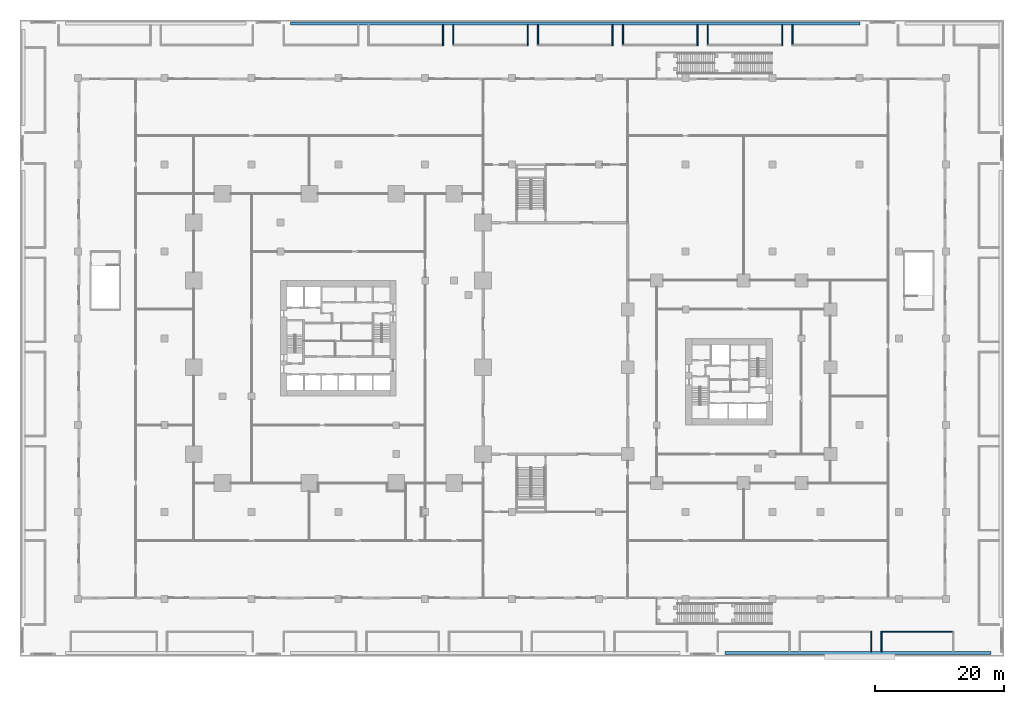
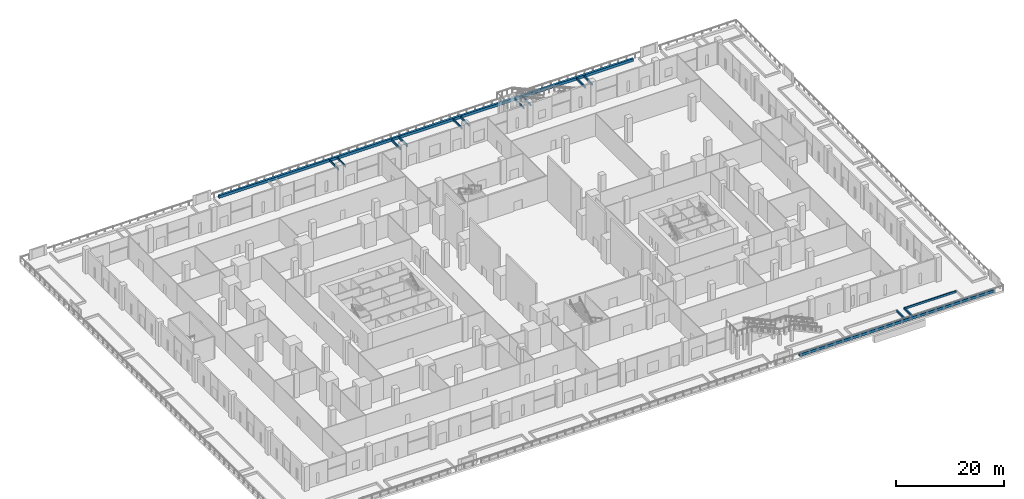
# One storey, part 36 of 47: 15 walls.
"""IFC4 building model written with IfcOpenShell, lengths in metres."""

import ifcopenshell
import ifcopenshell.guid

model = None  # the IFC model being written
_history = None  # IfcOwnerHistory: only IFC2X3 demands one
_inside = {}  # id of a spatial element -> (the spatial element, [elements in it])
_under = {}  # id of a project, library or spatial element -> (it, [spatial elements below it])
_declared = {}  # id of a project -> (the project, [libraries it declares])
_typed = {}  # id of a type object -> (the type object, [elements of that type])
_made_of = {}  # id of a material, layer set ... -> (it, [elements and type objects made of it])


def new_model(schema):
    """Start an empty IFC model of exactly this schema.

    Asked for "IFC4X3", IfcOpenShell would pick the latest addendum, in which some entities
    have other attributes; the version numbers below select the first issue.
    IFC2X3 requires an IfcOwnerHistory on every rooted entity: one is made here for all.
    """
    global model, _history
    if schema == "IFC4X3":
        model = ifcopenshell.file(schema_version=(4, 3, 0, 0))
    else:
        model = ifcopenshell.file(schema=schema)
    _inside.clear()
    _under.clear()
    _declared.clear()
    _typed.clear()
    _made_of.clear()
    _history = None
    if model.schema == "IFC2X3":
        org = make("IfcOrganization", Name="unknown")
        user = make(
            "IfcPersonAndOrganization",
            ThePerson=make("IfcPerson", FamilyName="unknown"),
            TheOrganization=org,
        )
        app = make(
            "IfcApplication",
            ApplicationDeveloper=org,
            Version="unknown",
            ApplicationFullName="unknown",
            ApplicationIdentifier="unknown",
        )
        _history = make(
            "IfcOwnerHistory",
            OwningUser=user,
            OwningApplication=app,
            ChangeAction="ADDED",
            CreationDate=0,
        )
    return model


def make(cls, **values):
    """One entity of the class cls with the attributes given. An attribute that is None is left unset."""
    return model.create_entity(
        cls, **{name: value for name, value in values.items() if value is not None}
    )


def rooted(cls, **values):
    """An entity with a GlobalId (a new one), such as an element, a storey or a relation."""
    return make(cls, GlobalId=ifcopenshell.guid.new(), OwnerHistory=_history, **values)


def si_unit(unit_type, name, prefix=None):
    """IfcSIUnit, for example si_unit("LENGTHUNIT", "METRE", prefix="MILLI")."""
    return make("IfcSIUnit", UnitType=unit_type, Prefix=prefix, Name=name)


def assignment(units):
    """IfcUnitAssignment: the units of a project."""
    return None if units is None else make("IfcUnitAssignment", Units=units)


def point(xyz):
    """IfcCartesianPoint."""
    return None if xyz is None else make("IfcCartesianPoint", Coordinates=xyz)


def direction(xyz):
    """IfcDirection."""
    return None if xyz is None else make("IfcDirection", DirectionRatios=xyz)


def frame(location, z_axis=None, x_axis=None):
    """IfcAxis2Placement3D, a coordinate frame: its origin and axes. An axis left out is left unset."""
    return make(
        "IfcAxis2Placement3D",
        Location=point(location),
        Axis=direction(z_axis),
        RefDirection=direction(x_axis),
    )


def frame_2d(location, x_axis=None):
    """IfcAxis2Placement2D, a coordinate frame in the plane: its origin and x axis."""
    return make(
        "IfcAxis2Placement2D", Location=point(location), RefDirection=direction(x_axis)
    )


def origin():
    """The frame at (0, 0, 0) with its axes left unset."""
    return frame((0.0, 0.0, 0.0))


def place(relative_to, where):
    """IfcLocalPlacement: puts the frame where relative to a parent placement (None: the world)."""
    return make(
        "IfcLocalPlacement", PlacementRelTo=relative_to, RelativePlacement=where
    )


def context(
    kind, dimensions, precision=None, world=None, true_north=None, identifier=None
):
    """IfcGeometricRepresentationContext, for example the 3D "Model" context."""
    return make(
        "IfcGeometricRepresentationContext",
        ContextIdentifier=identifier,
        ContextType=kind,
        CoordinateSpaceDimension=dimensions,
        Precision=precision,
        WorldCoordinateSystem=world,
        TrueNorth=true_north,
    )


def subcontext(parent, identifier, kind, view, scale=None):
    """IfcGeometricRepresentationSubContext, for example "Body" below "Model"."""
    return make(
        "IfcGeometricRepresentationSubContext",
        ContextIdentifier=identifier,
        ContextType=kind,
        ParentContext=parent,
        TargetScale=scale,
        TargetView=view,
    )


def project(units=None, contexts=None):
    """IfcProject with its units and contexts."""
    return rooted(
        "IfcProject",
        Name="project",
        RepresentationContexts=contexts,
        UnitsInContext=assignment(units),
    )


def spatial(cls, under=None, at=None, **own):
    """A site, building, storey or space (cls), placed at a placement, below another one or the project."""
    s = rooted(cls, ObjectPlacement=at, **own)
    if under is not None:
        _under.setdefault(under.id(), (under, []))[1].append(s)
    return s


def profile(cls, at=None, kind="AREA", **sizes):
    """A parametric profile (cls). Its sizes go by their IFC names, for example OverallWidth=200.0."""
    return make(cls, ProfileType=kind, Position=at, **sizes)


def rectangle(**sizes):
    """IfcRectangleProfileDef."""
    return profile("IfcRectangleProfileDef", **sizes)


def extrude(swept, where, along, depth):
    """IfcExtrudedAreaSolid: the profile swept, set in the frame where, extruded along a direction by depth."""
    return make(
        "IfcExtrudedAreaSolid",
        SweptArea=swept,
        Position=where,
        ExtrudedDirection=direction(along),
        Depth=depth,
    )


def shape(context_of_items, identifier, shape_type, items):
    """IfcShapeRepresentation: the items that make up one representation, for example the "Body"."""
    return make(
        "IfcShapeRepresentation",
        ContextOfItems=context_of_items,
        RepresentationIdentifier=identifier,
        RepresentationType=shape_type,
        Items=items,
    )


def material(Name=None, Category=None):
    """IfcMaterial."""
    return make("IfcMaterial", Name=Name, Category=Category)


def layer(
    of_material, thickness, ventilated=None, Name=None, Category=None, Priority=None
):
    """IfcMaterialLayer: one layer of a wall or slab, of a material (None: an air gap)."""
    return make(
        "IfcMaterialLayer",
        Material=of_material,
        LayerThickness=thickness,
        IsVentilated=ventilated,
        Name=Name,
        Category=Category,
        Priority=Priority,
    )


def layer_set(layers, Name=None):
    """IfcMaterialLayerSet."""
    return make("IfcMaterialLayerSet", MaterialLayers=layers, LayerSetName=Name)


def made_of(thing, what):
    """Note that an element or type object is made of a material, layer set ...; save() writes the relation."""
    if what is not None:
        _made_of.setdefault(what.id(), (what, []))[1].append(thing)
    return thing


def type_object(cls, material=None, **own):
    """A type object (cls), such as IfcWallType, which elements share."""
    return made_of(rooted(cls, **own), material)


def element(
    cls,
    number,
    at=None,
    inside=None,
    cuts=None,
    type_object=None,
    material=None,
    context=None,
    identifier="Body",
    shape_type=None,
    held_by="IfcProductDefinitionShape",
    body=None,
    shapes=None,
    **own,
):
    """One element of the class cls, such as IfcWall. Its Tag is "e" and its number.

    at: its placement. inside: the storey or other place that contains it. cuts: it is an
    opening in that element (IfcRelVoidsElement). A single representation is given by context,
    identifier, shape_type and body (its items); several are given by shapes. held_by: the class
    of the entity that holds the representations. save() writes the other relations.
    """
    e = rooted(cls, Tag="e%d" % number, ObjectPlacement=at, **own)
    if body is not None:
        shapes = [shape(context, identifier, shape_type, body)]
    if shapes is not None:
        e.Representation = make(held_by, Representations=shapes)
    if inside is not None:
        _inside.setdefault(inside.id(), (inside, []))[1].append(e)
    if cuts is not None:
        rooted(
            "IfcRelVoidsElement", RelatingBuildingElement=cuts, RelatedOpeningElement=e
        )
    if type_object is not None:
        _typed.setdefault(type_object.id(), (type_object, []))[1].append(e)
    return made_of(e, material)


def aggregate(whole, parts):
    """IfcRelAggregates: a whole, such as a stair, and the parts it consists of."""
    return rooted("IfcRelAggregates", RelatingObject=whole, RelatedObjects=parts)


def save(model, path):
    """Write the relations noted so far, then the file.

    IfcRelAggregates (storeys below a building ...), IfcRelContainedInSpatialStructure (elements
    in a storey), IfcRelDefinesByType, IfcRelAssociatesMaterial and IfcRelDeclares: one each for
    every whole, place, type object, material and project.
    """
    for whole, parts in _under.values():
        aggregate(whole, parts)
    for where, things in _inside.values():
        rooted(
            "IfcRelContainedInSpatialStructure",
            RelatedElements=things,
            RelatingStructure=where,
        )
    for kind, things in _typed.values():
        rooted("IfcRelDefinesByType", RelatedObjects=things, RelatingType=kind)
    for what, things in _made_of.values():
        rooted("IfcRelAssociatesMaterial", RelatedObjects=things, RelatingMaterial=what)
    for by, libraries in _declared.values():
        rooted("IfcRelDeclares", RelatingContext=by, RelatedDefinitions=libraries)
    model.write(path)


model = new_model("IFC4")

# Units and contexts
model_context = context("Model", 3, precision=1e-05, world=origin(), true_north=direction((0.0, 1.0)))
body_context = subcontext(model_context, "Body", "Model", "MODEL_VIEW")
ifc_project = project(units=[si_unit("LENGTHUNIT", "METRE"), si_unit("AREAUNIT", "SQUARE_METRE"), si_unit("VOLUMEUNIT", "CUBIC_METRE"), si_unit("PLANEANGLEUNIT", "RADIAN"), si_unit("MASSUNIT", "GRAM", prefix="KILO")], contexts=[model_context])

# Site, building, storey
site_placement = place(None, origin())
site = spatial("IfcSite", under=ifc_project, at=site_placement, CompositionType="ELEMENT")
building_placement = place(site_placement, origin())
building = spatial("IfcBuilding", under=site, at=building_placement, Name="Altepetl Exchange Towers", CompositionType="ELEMENT")
storey_placement = place(building_placement, frame((0.0, 0.0, 6.0)))
storey = spatial("IfcBuildingStorey", under=building, at=storey_placement, Name="L01 Retail podium", CompositionType="ELEMENT", Elevation=6.0)

# Walls
ifc_material_1 = material(Name="Concrete C30/37", Category="concrete")
ifc_layer_1 = layer(ifc_material_1, 0.449951171875)
ifc_layer_set_1 = layer_set([ifc_layer_1], Name="Concrete C30/37")
wall_type_1 = type_object("IfcWallType", Name="Planter wall 450 concrete", PredefinedType="SOLIDWALL", material=ifc_layer_set_1)
wall_1_placement = place(storey_placement, frame((109.592529296875, 0.550048828125, 0.0)))
element("IfcWall", 1, at=wall_1_placement, inside=storey, type_object=wall_type_1, Name="Planter bed wall", PredefinedType="SOLIDWALL", context=body_context, shape_type="SweptSolid", body=[
    extrude(rectangle(XDim=41.414794921875, YDim=0.449951171875, at=frame_2d((20.70751953125, 0.0))), origin(), (0.0, 0.0, 1.0), 0.60009765625),
])
wall_2_placement = place(storey_placement, frame((130.607421875, 98.449951171875, 0.0), z_axis=(0.0, 0.0, 1.0), x_axis=(-1.0, 0.0, 0.0)))
element("IfcWall", 2, at=wall_2_placement, inside=storey, type_object=wall_type_1, Name="Planter bed wall", PredefinedType="SOLIDWALL", context=body_context, shape_type="SweptSolid", body=[
    extrude(rectangle(XDim=88.514892578125, YDim=0.449951171875, at=frame_2d((44.25732421875, 0.0))), origin(), (0.0, 0.0, 1.0), 0.60009765625),
])
ifc_material_2 = material(Name="Reinforced concrete C35/45", Category="concrete")
ifc_layer_2 = layer(ifc_material_2, 0.199951171875)
ifc_layer_set_2 = layer_set([ifc_layer_2], Name="Reinforced concrete C35/45")
wall_type_2 = type_object("IfcWallType", Name="Planting bed curb 200", PredefinedType="SOLIDWALL", material=ifc_layer_set_2)
wall_3_placement = place(storey_placement, frame((132.36669921875, 0.77490234375, 0.0), z_axis=(0.0, 0.0, 1.0), x_axis=(0.0, 1.0, 0.0)))
element("IfcWall", 3, at=wall_3_placement, inside=storey, type_object=wall_type_2, Name="wall:P:L01:CB02e", PredefinedType="SOLIDWALL", context=body_context, shape_type="SweptSolid", body=[
    extrude(rectangle(XDim=3.2001953125, YDim=0.199951171875, at=frame_2d((1.60009765625, 0.0))), origin(), (0.0, 0.0, 1.0), 0.449951171875),
])
wall_4_placement = place(storey_placement, frame((133.86669921875, 3.875, 0.0)))
element("IfcWall", 4, at=wall_4_placement, inside=storey, type_object=wall_type_2, Name="wall:P:L01:CB03n", PredefinedType="SOLIDWALL", context=body_context, shape_type="SweptSolid", body=[
    extrude(rectangle(XDim=11.13330078125, YDim=0.199951171875, at=frame_2d((5.566650390625, 0.0))), origin(), (0.0, 0.0, 1.0), 0.449951171875),
])
wall_5_placement = place(storey_placement, frame((133.966796875, 0.77490234375, 0.0), z_axis=(0.0, 0.0, 1.0), x_axis=(0.0, 1.0, 0.0)))
element("IfcWall", 5, at=wall_5_placement, inside=storey, type_object=wall_type_2, Name="wall:P:L01:CB03w", PredefinedType="SOLIDWALL", context=body_context, shape_type="SweptSolid", body=[
    extrude(rectangle(XDim=3.0, YDim=0.199951171875, at=frame_2d((1.5, 0.0))), origin(), (0.0, 0.0, 1.0), 0.449951171875),
])
for number, where, z_axis, x_axis, name in (
    (6, (65.771484375, 95.02490234375, 0.0), (0.0, 0.0, 1.0), (0.0, 1.0, 0.0), "wall:P:L01:CB14e"),
    (7, (78.95703125, 95.02490234375, 0.0), (0.0, 0.0, 1.0), (0.0, 1.0, 0.0), "wall:P:L01:CB15e"),
):
    element("IfcWall", number, at=place(storey_placement, frame(where, z_axis=z_axis, x_axis=x_axis)), inside=storey, type_object=wall_type_2, Name=name, PredefinedType="SOLIDWALL", context=body_context, shape_type="SweptSolid", body=[
        extrude(rectangle(XDim=3.2001953125, YDim=0.199951171875, at=frame_2d((1.60009765625, 0.0))), origin(), (0.0, 0.0, 1.0), 0.449951171875),
    ])
wall_6_placement = place(storey_placement, frame((67.371337890625, 95.22509765625, 0.0), z_axis=(0.0, 0.0, 1.0), x_axis=(0.0, 1.0, 0.0)))
element("IfcWall", 8, at=wall_6_placement, inside=storey, type_object=wall_type_2, Name="wall:P:L01:CB15w", PredefinedType="SOLIDWALL", context=body_context, shape_type="SweptSolid", body=[
    extrude(rectangle(XDim=3.0, YDim=0.199951171875, at=frame_2d((1.5, 0.0))), origin(), (0.0, 0.0, 1.0), 0.449951171875),
])
wall_7_placement = place(storey_placement, frame((92.142822265625, 95.02490234375, 0.0), z_axis=(0.0, 0.0, 1.0), x_axis=(0.0, 1.0, 0.0)))
element("IfcWall", 9, at=wall_7_placement, inside=storey, type_object=wall_type_2, Name="wall:P:L01:CB16e", PredefinedType="SOLIDWALL", context=body_context, shape_type="SweptSolid", body=[
    extrude(rectangle(XDim=3.2001953125, YDim=0.199951171875, at=frame_2d((1.60009765625, 0.0))), origin(), (0.0, 0.0, 1.0), 0.449951171875),
])
wall_8_placement = place(storey_placement, frame((80.55712890625, 95.22509765625, 0.0), z_axis=(0.0, 0.0, 1.0), x_axis=(0.0, 1.0, 0.0)))
element("IfcWall", 10, at=wall_8_placement, inside=storey, type_object=wall_type_2, Name="wall:P:L01:CB16w", PredefinedType="SOLIDWALL", context=body_context, shape_type="SweptSolid", body=[
    extrude(rectangle(XDim=3.0, YDim=0.199951171875, at=frame_2d((1.5, 0.0))), origin(), (0.0, 0.0, 1.0), 0.449951171875),
])
wall_9_placement = place(storey_placement, frame((105.32861328125, 95.02490234375, 0.0), z_axis=(0.0, 0.0, 1.0), x_axis=(0.0, 1.0, 0.0)))
element("IfcWall", 11, at=wall_9_placement, inside=storey, type_object=wall_type_2, Name="wall:P:L01:CB17e", PredefinedType="SOLIDWALL", context=body_context, shape_type="SweptSolid", body=[
    extrude(rectangle(XDim=3.2001953125, YDim=0.199951171875, at=frame_2d((1.60009765625, 0.0))), origin(), (0.0, 0.0, 1.0), 0.449951171875),
])
wall_10_placement = place(storey_placement, frame((93.742919921875, 95.22509765625, 0.0), z_axis=(0.0, 0.0, 1.0), x_axis=(0.0, 1.0, 0.0)))
element("IfcWall", 12, at=wall_10_placement, inside=storey, type_object=wall_type_2, Name="wall:P:L01:CB17w", PredefinedType="SOLIDWALL", context=body_context, shape_type="SweptSolid", body=[
    extrude(rectangle(XDim=3.0, YDim=0.199951171875, at=frame_2d((1.5, 0.0))), origin(), (0.0, 0.0, 1.0), 0.449951171875),
])
wall_11_placement = place(storey_placement, frame((118.514404296875, 95.02490234375, 0.0), z_axis=(0.0, 0.0, 1.0), x_axis=(0.0, 1.0, 0.0)))
element("IfcWall", 13, at=wall_11_placement, inside=storey, type_object=wall_type_2, Name="wall:P:L01:CB18e", PredefinedType="SOLIDWALL", context=body_context, shape_type="SweptSolid", body=[
    extrude(rectangle(XDim=3.2001953125, YDim=0.199951171875, at=frame_2d((1.60009765625, 0.0))), origin(), (0.0, 0.0, 1.0), 0.449951171875),
])
for number, where, z_axis, x_axis, name in (
    (14, (106.9287109375, 95.22509765625, 0.0), (0.0, 0.0, 1.0), (0.0, 1.0, 0.0), "wall:P:L01:CB18w"),
    (15, (120.1142578125, 95.22509765625, 0.0), (0.0, 0.0, 1.0), (0.0, 1.0, 0.0), "wall:P:L01:CB19w"),
):
    element("IfcWall", number, at=place(storey_placement, frame(where, z_axis=z_axis, x_axis=x_axis)), inside=storey, type_object=wall_type_2, Name=name, PredefinedType="SOLIDWALL", context=body_context, shape_type="SweptSolid", body=[
        extrude(rectangle(XDim=3.0, YDim=0.199951171875, at=frame_2d((1.5, 0.0))), origin(), (0.0, 0.0, 1.0), 0.449951171875),
    ])

save(model, "model.ifc")
